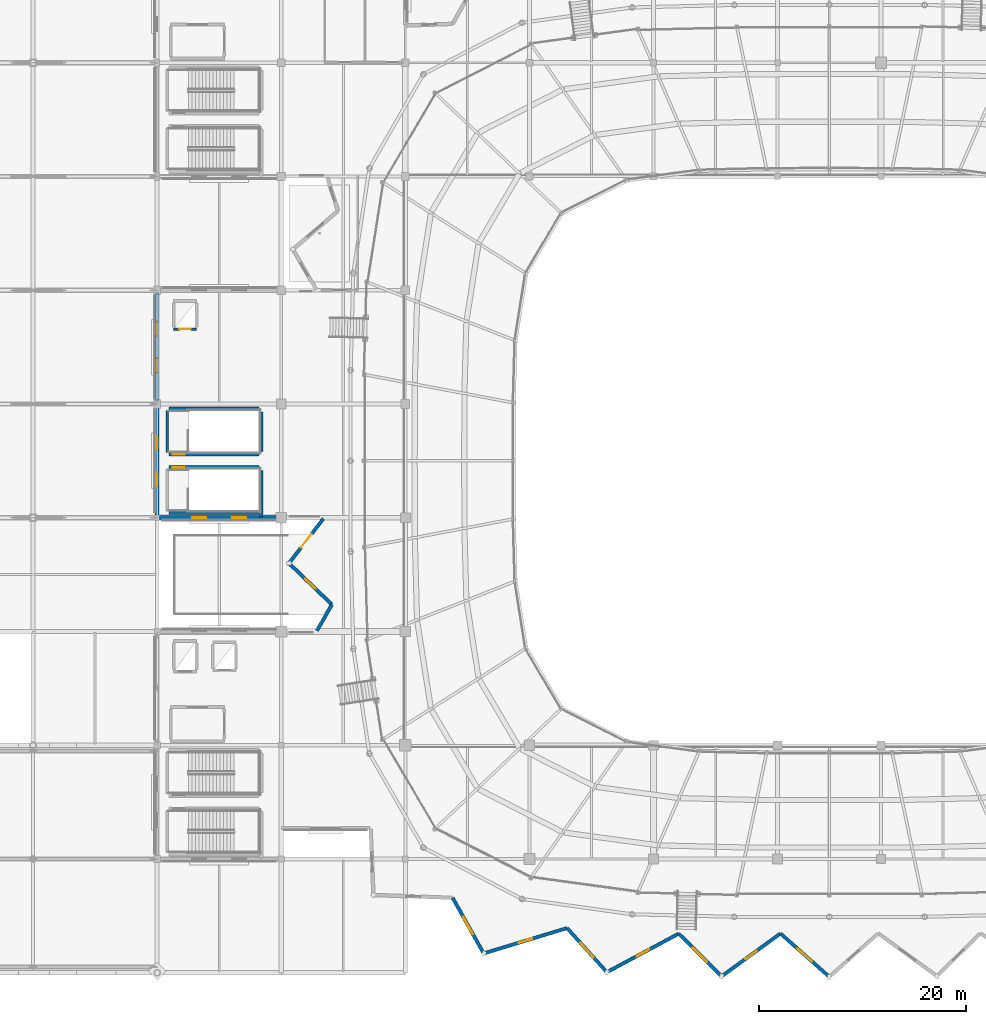
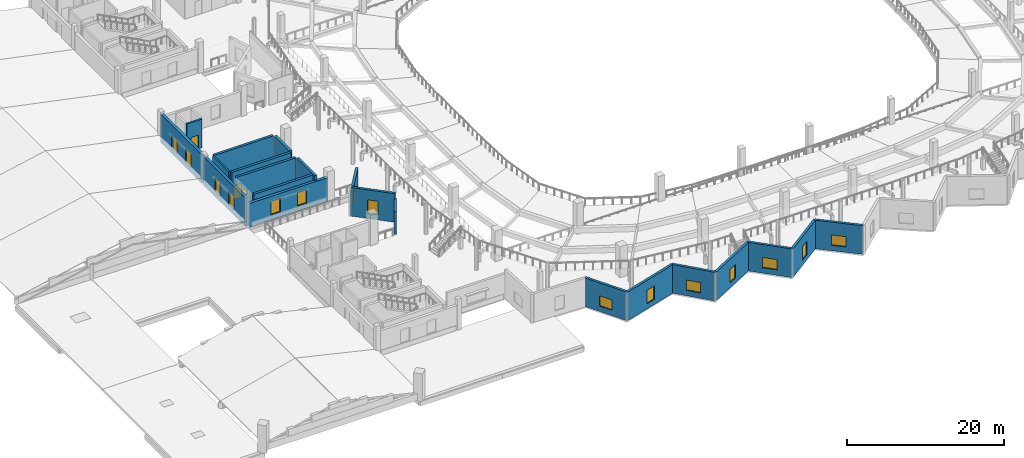
# One storey, part 52 of 77: 21 walls, 14 windows, 4 doors, 18 openings.
"""IFC4 building model written with IfcOpenShell, lengths in metres."""

import ifcopenshell
import ifcopenshell.guid

model = None  # the IFC model being written
_history = None  # IfcOwnerHistory: only IFC2X3 demands one
_inside = {}  # id of a spatial element -> (the spatial element, [elements in it])
_under = {}  # id of a project, library or spatial element -> (it, [spatial elements below it])
_declared = {}  # id of a project -> (the project, [libraries it declares])
_typed = {}  # id of a type object -> (the type object, [elements of that type])
_made_of = {}  # id of a material, layer set ... -> (it, [elements and type objects made of it])


def new_model(schema):
    """Start an empty IFC model of exactly this schema.

    Asked for "IFC4X3", IfcOpenShell would pick the latest addendum, in which some entities
    have other attributes; the version numbers below select the first issue.
    IFC2X3 requires an IfcOwnerHistory on every rooted entity: one is made here for all.
    """
    global model, _history
    if schema == "IFC4X3":
        model = ifcopenshell.file(schema_version=(4, 3, 0, 0))
    else:
        model = ifcopenshell.file(schema=schema)
    _inside.clear()
    _under.clear()
    _declared.clear()
    _typed.clear()
    _made_of.clear()
    _history = None
    if model.schema == "IFC2X3":
        org = make("IfcOrganization", Name="unknown")
        user = make(
            "IfcPersonAndOrganization",
            ThePerson=make("IfcPerson", FamilyName="unknown"),
            TheOrganization=org,
        )
        app = make(
            "IfcApplication",
            ApplicationDeveloper=org,
            Version="unknown",
            ApplicationFullName="unknown",
            ApplicationIdentifier="unknown",
        )
        _history = make(
            "IfcOwnerHistory",
            OwningUser=user,
            OwningApplication=app,
            ChangeAction="ADDED",
            CreationDate=0,
        )
    return model


def make(cls, **values):
    """One entity of the class cls with the attributes given. An attribute that is None is left unset."""
    return model.create_entity(
        cls, **{name: value for name, value in values.items() if value is not None}
    )


def rooted(cls, **values):
    """An entity with a GlobalId (a new one), such as an element, a storey or a relation."""
    return make(cls, GlobalId=ifcopenshell.guid.new(), OwnerHistory=_history, **values)


def si_unit(unit_type, name, prefix=None):
    """IfcSIUnit, for example si_unit("LENGTHUNIT", "METRE", prefix="MILLI")."""
    return make("IfcSIUnit", UnitType=unit_type, Prefix=prefix, Name=name)


def assignment(units):
    """IfcUnitAssignment: the units of a project."""
    return None if units is None else make("IfcUnitAssignment", Units=units)


def point(xyz):
    """IfcCartesianPoint."""
    return None if xyz is None else make("IfcCartesianPoint", Coordinates=xyz)


def direction(xyz):
    """IfcDirection."""
    return None if xyz is None else make("IfcDirection", DirectionRatios=xyz)


def frame(location, z_axis=None, x_axis=None):
    """IfcAxis2Placement3D, a coordinate frame: its origin and axes. An axis left out is left unset."""
    return make(
        "IfcAxis2Placement3D",
        Location=point(location),
        Axis=direction(z_axis),
        RefDirection=direction(x_axis),
    )


def frame_2d(location, x_axis=None):
    """IfcAxis2Placement2D, a coordinate frame in the plane: its origin and x axis."""
    return make(
        "IfcAxis2Placement2D", Location=point(location), RefDirection=direction(x_axis)
    )


def origin():
    """The frame at (0, 0, 0) with its axes left unset."""
    return frame((0.0, 0.0, 0.0))


def place(relative_to, where):
    """IfcLocalPlacement: puts the frame where relative to a parent placement (None: the world)."""
    return make(
        "IfcLocalPlacement", PlacementRelTo=relative_to, RelativePlacement=where
    )


def context(
    kind, dimensions, precision=None, world=None, true_north=None, identifier=None
):
    """IfcGeometricRepresentationContext, for example the 3D "Model" context."""
    return make(
        "IfcGeometricRepresentationContext",
        ContextIdentifier=identifier,
        ContextType=kind,
        CoordinateSpaceDimension=dimensions,
        Precision=precision,
        WorldCoordinateSystem=world,
        TrueNorth=true_north,
    )


def subcontext(parent, identifier, kind, view, scale=None):
    """IfcGeometricRepresentationSubContext, for example "Body" below "Model"."""
    return make(
        "IfcGeometricRepresentationSubContext",
        ContextIdentifier=identifier,
        ContextType=kind,
        ParentContext=parent,
        TargetScale=scale,
        TargetView=view,
    )


def project(units=None, contexts=None):
    """IfcProject with its units and contexts."""
    return rooted(
        "IfcProject",
        Name="project",
        RepresentationContexts=contexts,
        UnitsInContext=assignment(units),
    )


def spatial(cls, under=None, at=None, **own):
    """A site, building, storey or space (cls), placed at a placement, below another one or the project."""
    s = rooted(cls, ObjectPlacement=at, **own)
    if under is not None:
        _under.setdefault(under.id(), (under, []))[1].append(s)
    return s


def profile(cls, at=None, kind="AREA", **sizes):
    """A parametric profile (cls). Its sizes go by their IFC names, for example OverallWidth=200.0."""
    return make(cls, ProfileType=kind, Position=at, **sizes)


def rectangle(**sizes):
    """IfcRectangleProfileDef."""
    return profile("IfcRectangleProfileDef", **sizes)


def extrude(swept, where, along, depth):
    """IfcExtrudedAreaSolid: the profile swept, set in the frame where, extruded along a direction by depth."""
    return make(
        "IfcExtrudedAreaSolid",
        SweptArea=swept,
        Position=where,
        ExtrudedDirection=direction(along),
        Depth=depth,
    )


def shape(context_of_items, identifier, shape_type, items):
    """IfcShapeRepresentation: the items that make up one representation, for example the "Body"."""
    return make(
        "IfcShapeRepresentation",
        ContextOfItems=context_of_items,
        RepresentationIdentifier=identifier,
        RepresentationType=shape_type,
        Items=items,
    )


def material(Name=None, Category=None):
    """IfcMaterial."""
    return make("IfcMaterial", Name=Name, Category=Category)


def layer(
    of_material, thickness, ventilated=None, Name=None, Category=None, Priority=None
):
    """IfcMaterialLayer: one layer of a wall or slab, of a material (None: an air gap)."""
    return make(
        "IfcMaterialLayer",
        Material=of_material,
        LayerThickness=thickness,
        IsVentilated=ventilated,
        Name=Name,
        Category=Category,
        Priority=Priority,
    )


def layer_set(layers, Name=None):
    """IfcMaterialLayerSet."""
    return make("IfcMaterialLayerSet", MaterialLayers=layers, LayerSetName=Name)


def made_of(thing, what):
    """Note that an element or type object is made of a material, layer set ...; save() writes the relation."""
    if what is not None:
        _made_of.setdefault(what.id(), (what, []))[1].append(thing)
    return thing


def type_object(cls, material=None, **own):
    """A type object (cls), such as IfcWallType, which elements share."""
    return made_of(rooted(cls, **own), material)


def element(
    cls,
    number,
    at=None,
    inside=None,
    cuts=None,
    type_object=None,
    material=None,
    context=None,
    identifier="Body",
    shape_type=None,
    held_by="IfcProductDefinitionShape",
    body=None,
    shapes=None,
    **own,
):
    """One element of the class cls, such as IfcWall. Its Tag is "e" and its number.

    at: its placement. inside: the storey or other place that contains it. cuts: it is an
    opening in that element (IfcRelVoidsElement). A single representation is given by context,
    identifier, shape_type and body (its items); several are given by shapes. held_by: the class
    of the entity that holds the representations. save() writes the other relations.
    """
    e = rooted(cls, Tag="e%d" % number, ObjectPlacement=at, **own)
    if body is not None:
        shapes = [shape(context, identifier, shape_type, body)]
    if shapes is not None:
        e.Representation = make(held_by, Representations=shapes)
    if inside is not None:
        _inside.setdefault(inside.id(), (inside, []))[1].append(e)
    if cuts is not None:
        rooted(
            "IfcRelVoidsElement", RelatingBuildingElement=cuts, RelatedOpeningElement=e
        )
    if type_object is not None:
        _typed.setdefault(type_object.id(), (type_object, []))[1].append(e)
    return made_of(e, material)


def fill(opening, filler):
    """IfcRelFillsElement: the door or window that sits in an opening."""
    return rooted(
        "IfcRelFillsElement",
        RelatingOpeningElement=opening,
        RelatedBuildingElement=filler,
    )


def aggregate(whole, parts):
    """IfcRelAggregates: a whole, such as a stair, and the parts it consists of."""
    return rooted("IfcRelAggregates", RelatingObject=whole, RelatedObjects=parts)


def save(model, path):
    """Write the relations noted so far, then the file.

    IfcRelAggregates (storeys below a building ...), IfcRelContainedInSpatialStructure (elements
    in a storey), IfcRelDefinesByType, IfcRelAssociatesMaterial and IfcRelDeclares: one each for
    every whole, place, type object, material and project.
    """
    for whole, parts in _under.values():
        aggregate(whole, parts)
    for where, things in _inside.values():
        rooted(
            "IfcRelContainedInSpatialStructure",
            RelatedElements=things,
            RelatingStructure=where,
        )
    for kind, things in _typed.values():
        rooted("IfcRelDefinesByType", RelatedObjects=things, RelatingType=kind)
    for what, things in _made_of.values():
        rooted("IfcRelAssociatesMaterial", RelatedObjects=things, RelatingMaterial=what)
    for by, libraries in _declared.values():
        rooted("IfcRelDeclares", RelatingContext=by, RelatedDefinitions=libraries)
    model.write(path)


model = new_model("IFC4")

# Units and contexts
model_context = context("Model", 3, precision=1e-05, world=origin(), true_north=direction((0.0, 1.0)))
body_context = subcontext(model_context, "Body", "Model", "MODEL_VIEW")
ifc_project = project(units=[si_unit("LENGTHUNIT", "METRE"), si_unit("AREAUNIT", "SQUARE_METRE"), si_unit("VOLUMEUNIT", "CUBIC_METRE"), si_unit("PLANEANGLEUNIT", "RADIAN"), si_unit("MASSUNIT", "GRAM", prefix="KILO")], contexts=[model_context])

# Site, building, storey
site_placement = place(None, origin())
site = spatial("IfcSite", under=ifc_project, at=site_placement, CompositionType="ELEMENT")
building_placement = place(site_placement, origin())
building = spatial("IfcBuilding", under=site, at=building_placement, Name="Luwafu Chhajja Arena", CompositionType="ELEMENT")
storey_placement = place(building_placement, frame((0.0, 0.0, 14.699951171875)))
storey = spatial("IfcBuildingStorey", under=building, at=storey_placement, Name="L03", CompositionType="ELEMENT", Elevation=14.699951171875)

# Wall, opening, door
ifc_material_1 = material(Name="Concrete C35/45", Category="concrete")
ifc_layer_1 = layer(ifc_material_1, 0.260009765625, Name="Concrete C35/45")
ifc_layer_set_1 = layer_set([ifc_layer_1], Name="Concrete C35/45")
wall_type_1 = type_object("IfcWallType", Name="Lift and Riser Shaft Wall 260", PredefinedType="SOLIDWALL", material=ifc_layer_set_1)
wall_1_placement = place(storey_placement, frame((35.590087890625, 62.239990234375, 0.0), z_axis=(0.0, 0.0, 1.0), x_axis=(1.0, 0.0, 0.0)))
wall_1 = element("IfcWall", 1, at=wall_1_placement, inside=storey, type_object=wall_type_1, Name="L03 Lift LF-09 Shaft Wall S", PredefinedType="SOLIDWALL", context=body_context, shape_type="SweptSolid", body=[
    extrude(rectangle(XDim=2.219970703125, YDim=0.260009765625, at=frame_2d((1.10986328125, 0.0))), origin(), (0.0, 0.0, 1.0), 4.4599609375),
])
opening_1_placement = place(wall_1_placement, frame((0.56005859375, 0.0, 0.0)))
opening_1 = element("IfcOpeningElement", 2, at=opening_1_placement, cuts=wall_1, Name="Opening LD-01", PredefinedType="OPENING", context=body_context, shape_type="SweptSolid", body=[
    extrude(rectangle(XDim=1.10009765625, YDim=2.14990234375, at=frame_2d((0.550048828125, 1.074951171875))), frame((0.0, 0.139892578125, 0.0), z_axis=(0.0, -1.0, 0.0), x_axis=(1.0, 0.0, 0.0)), (0.0, 0.0, 1.0), 0.280029296875),
])
ifc_material_2 = material(Name="Brushed stainless steel sliding leaves", Category="steel")
door_type_1 = type_object("IfcDoorType", Name="LD-01", OperationType="SLIDING_TO_LEFT", PredefinedType="DOOR", material=ifc_material_2)
door_1_placement = place(opening_1_placement, origin())
door_1 = element("IfcDoor", 3, at=door_1_placement, inside=storey, type_object=door_type_1, Name="L03 Lift LF-09 Landing Door L03-LD09", OperationType="SLIDING_TO_LEFT", OverallHeight=2.14990234375, OverallWidth=1.10009765625, PredefinedType="DOOR", context=body_context, shape_type="SweptSolid", body=[
    extrude(rectangle(XDim=1.10009765625, YDim=2.14990234375, at=frame_2d((0.550048828125, 1.074951171875))), frame((0.0, 0.02490234375, 0.0), z_axis=(0.0, -1.0, 0.0), x_axis=(1.0, 0.0, 0.0)), (0.0, 0.0, 1.0), 0.050048828125),
])
fill(opening_1, door_1)

ifc_material_3 = material(Name="Precast concrete C40/50", Category="concrete")
ifc_layer_2 = layer(ifc_material_3, 0.340087890625, Name="Precast concrete C40/50")
ifc_layer_set_2 = layer_set([ifc_layer_2], Name="Precast concrete C40/50")
wall_type_2 = type_object("IfcWallType", Name="Pleated Bowl V-Fold Wall 340", PredefinedType="USERDEFINED", material=ifc_layer_set_2)
wall_2_placement = place(storey_placement, frame((50.06982421875, 43.919921875, 0.0), z_axis=(0.0, 0.0, 1.0), x_axis=(-0.609647920541, -0.792672323839, 0.0)))
wall_2 = element("IfcWall", 4, at=wall_2_placement, inside=storey, type_object=wall_type_2, Name="L03 Pleated Bowl V-Fold Wall 34", ObjectType="PLEATED FACADE WALL", PredefinedType="USERDEFINED", context=body_context, shape_type="SweptSolid", body=[
    extrude(rectangle(XDim=5.445068359375, YDim=0.340087890625, at=frame_2d((2.72265625, 0.0))), origin(), (0.0, 0.0, 1.0), 3.68994140625),
])
opening_2_placement = place(wall_2_placement, frame((1.897705078125, 0.0, 0.0)))
opening_2 = element("IfcOpeningElement", 5, at=opening_2_placement, cuts=wall_2, Name="Opening DR-29", PredefinedType="OPENING", context=body_context, shape_type="SweptSolid", body=[
    extrude(rectangle(XDim=1.64990234375, YDim=2.300048828125, at=frame_2d((0.824951171875, 1.14990234375))), frame((0.0, 0.179931640625, 0.0), z_axis=(0.0, -1.0, 0.0), x_axis=(1.0, 0.0, 0.0)), (0.0, 0.0, 1.0), 0.360107421875),
])
ifc_material_4 = material(Name="Anodised bronze thermally broken double glazed door")
door_type_2 = type_object("IfcDoorType", Name="DR-29", OperationType="DOUBLE_DOOR_SINGLE_SWING", PredefinedType="DOOR", material=ifc_material_4)
door_2_placement = place(opening_2_placement, frame((1.64990234375, 0.0, 0.0), z_axis=(0.0, 0.0, 1.0), x_axis=(-1.0, 0.0, 0.0)))
door_2 = element("IfcDoor", 6, at=door_2_placement, inside=storey, type_object=door_type_2, Name="L03 Viewing Terrace Access Door L03-TD01", OperationType="DOUBLE_DOOR_SINGLE_SWING", OverallHeight=2.300048828125, OverallWidth=1.64990234375, PredefinedType="DOOR", context=body_context, shape_type="SweptSolid", body=[
    extrude(rectangle(XDim=1.64990234375, YDim=2.300048828125, at=frame_2d((0.824951171875, 1.14990234375))), frame((0.0, 0.02490234375, 0.0), z_axis=(0.0, -1.0, 0.0), x_axis=(1.0, 0.0, 0.0)), (0.0, 0.0, 1.0), 0.050048828125),
])
fill(opening_2, door_2)

# Wall, opening, window
wall_3_placement = place(storey_placement, frame((46.750244140625, 39.603759765625, 0.0), z_axis=(0.0, 0.0, 1.0), x_axis=(0.719894969607, -0.694083015737, 0.0)))
wall_3 = element("IfcWall", 7, at=wall_3_placement, inside=storey, type_object=wall_type_2, Name="L03 Pleated Bowl V-Fold Wall 35", ObjectType="PLEATED FACADE WALL", PredefinedType="USERDEFINED", context=body_context, shape_type="SweptSolid", body=[
    extrude(rectangle(XDim=5.76025390625, YDim=0.340087890625, at=frame_2d((2.880126953125, 0.0))), origin(), (0.0, 0.0, 1.0), 4.455078125),
])
opening_3_placement = place(wall_3_placement, frame((2.205078125, 0.0, 0.800048828125)))
opening_3 = element("IfcOpeningElement", 8, at=opening_3_placement, cuts=wall_3, Name="Opening WN-17", PredefinedType="OPENING", context=body_context, shape_type="SweptSolid", body=[
    extrude(rectangle(XDim=1.35009765625, YDim=2.10009765625, at=frame_2d((0.675048828125, 1.050048828125))), frame((0.0, 0.179931640625, 0.0), z_axis=(0.0, -1.0, 0.0), x_axis=(1.0, 0.0, 0.0)), (0.0, 0.0, 1.0), 0.360107421875),
])
ifc_material_5 = material(Name="Solar-control laminated glass", Category="glass")
window_type_1 = type_object("IfcWindowType", Name="Exhibition Mezzanine Lancet Window 1350x2100", PartitioningType="SINGLE_PANEL", PredefinedType="WINDOW", material=ifc_material_5)
window_1_placement = place(opening_3_placement, origin())
window_1 = element("IfcWindow", 9, at=window_1_placement, inside=storey, type_object=window_type_1, Name="L03 Pleated Bowl Lancet Window 057", OverallHeight=2.10009765625, OverallWidth=1.35009765625, PartitioningType="SINGLE_PANEL", PredefinedType="WINDOW", context=body_context, shape_type="SweptSolid", body=[
    extrude(rectangle(XDim=1.35009765625, YDim=2.10009765625, at=frame_2d((0.675048828125, 1.050048828125))), frame((0.0, 0.030029296875, 0.0), z_axis=(0.0, -1.0, 0.0), x_axis=(1.0, 0.0, 0.0)), (0.0, 0.0, 1.0), 0.06005859375),
])
fill(opening_3, window_1)

# Wall
wall_4_placement = place(storey_placement, frame((50.89697265625, 35.605712890625, 0.0), z_axis=(0.0, 0.0, 1.0), x_axis=(-0.497249451908, -0.86760762017, 0.0)))
element("IfcWall", 10, at=wall_4_placement, inside=storey, type_object=wall_type_2, Name="L03 Pleated Bowl V-Fold Wall 36", ObjectType="PLEATED FACADE WALL", PredefinedType="USERDEFINED", context=body_context, shape_type="SweptSolid", body=[
    extrude(rectangle(XDim=2.9111328125, YDim=0.340087890625, at=frame_2d((1.45556640625, 0.0))), origin(), (0.0, 0.0, 1.0), 3.590087890625),
])

# Wall, opening, window
wall_5_placement = place(storey_placement, frame((62.57421875, 7.23681640625, 0.0), z_axis=(0.0, 0.0, 1.0), x_axis=(0.487306352228, -0.87323108, 0.0)))
wall_5 = element("IfcWall", 11, at=wall_5_placement, inside=storey, type_object=wall_type_2, Name="L03 Pleated Bowl V-Fold Wall 42", ObjectType="PLEATED FACADE WALL", PredefinedType="USERDEFINED", context=body_context, shape_type="SweptSolid", body=[
    extrude(rectangle(XDim=6.15283203125, YDim=0.340087890625, at=frame_2d((3.076416015625, 0.0))), origin(), (0.0, 0.0, 1.0), 4.455078125),
])
opening_4_placement = place(wall_5_placement, frame((2.12646484375, 0.0, 0.85009765625)))
opening_4 = element("IfcOpeningElement", 12, at=opening_4_placement, cuts=wall_5, Name="Opening WN-15", PredefinedType="OPENING", context=body_context, shape_type="SweptSolid", body=[
    extrude(rectangle(XDim=1.89990234375, YDim=1.60009765625, at=frame_2d((0.949951171875, 0.800048828125))), frame((0.0, 0.179931640625, 0.0), z_axis=(0.0, -1.0, 0.0), x_axis=(1.0, 0.0, 0.0)), (0.0, 0.0, 1.0), 0.360107421875),
])
window_type_2 = type_object("IfcWindowType", Name="Pleated Drum Inward-Fold Clerestory 1900x1600", PartitioningType="SINGLE_PANEL", PredefinedType="WINDOW", material=ifc_material_5)
window_2_placement = place(opening_4_placement, origin())
window_2 = element("IfcWindow", 13, at=window_2_placement, inside=storey, type_object=window_type_2, Name="L03 Pleated Bowl Lancet Window 060", OverallHeight=1.60009765625, OverallWidth=1.89990234375, PartitioningType="SINGLE_PANEL", PredefinedType="WINDOW", context=body_context, shape_type="SweptSolid", body=[
    extrude(rectangle(XDim=1.89990234375, YDim=1.60009765625, at=frame_2d((0.949951171875, 0.800048828125))), frame((0.0, 0.030029296875, 0.0), z_axis=(0.0, -1.0, 0.0), x_axis=(1.0, 0.0, 0.0)), (0.0, 0.0, 1.0), 0.06005859375),
])
fill(opening_4, window_2)

wall_6_placement = place(storey_placement, frame((65.572509765625, 1.864013671875, 0.0), z_axis=(0.0, 0.0, 1.0), x_axis=(0.956738407321, 0.290949514446, 0.0)))
wall_6 = element("IfcWall", 14, at=wall_6_placement, inside=storey, type_object=wall_type_2, Name="L03 Pleated Bowl V-Fold Wall 43", ObjectType="PLEATED FACADE WALL", PredefinedType="USERDEFINED", context=body_context, shape_type="SweptSolid", body=[
    extrude(rectangle(XDim=8.427978515625, YDim=0.340087890625, at=frame_2d((4.2138671875, 0.0))), origin(), (0.0, 0.0, 1.0), 4.455078125),
])
opening_5_placement = place(wall_6_placement, frame((3.5390625, 0.0, 0.800048828125)))
opening_5 = element("IfcOpeningElement", 15, at=opening_5_placement, cuts=wall_6, Name="Opening WN-17", PredefinedType="OPENING", context=body_context, shape_type="SweptSolid", body=[
    extrude(rectangle(XDim=1.35009765625, YDim=2.10009765625, at=frame_2d((0.675048828125, 1.050048828125))), frame((0.0, 0.179931640625, 0.0), z_axis=(0.0, -1.0, 0.0), x_axis=(1.0, 0.0, 0.0)), (0.0, 0.0, 1.0), 0.360107421875),
])
window_3_placement = place(opening_5_placement, origin())
window_3 = element("IfcWindow", 16, at=window_3_placement, inside=storey, type_object=window_type_1, Name="L03 Pleated Bowl Lancet Window 061", OverallHeight=2.10009765625, OverallWidth=1.35009765625, PartitioningType="SINGLE_PANEL", PredefinedType="WINDOW", context=body_context, shape_type="SweptSolid", body=[
    extrude(rectangle(XDim=1.35009765625, YDim=2.10009765625, at=frame_2d((0.675048828125, 1.050048828125))), frame((0.0, 0.030029296875, 0.0), z_axis=(0.0, -1.0, 0.0), x_axis=(1.0, 0.0, 0.0)), (0.0, 0.0, 1.0), 0.06005859375),
])
fill(opening_5, window_3)

wall_7_placement = place(storey_placement, frame((73.635986328125, 4.316162109375, 0.0), z_axis=(0.0, 0.0, 1.0), x_axis=(0.670348131104, -0.742046752654, 0.0)))
wall_7 = element("IfcWall", 17, at=wall_7_placement, inside=storey, type_object=wall_type_2, Name="L03 Pleated Bowl V-Fold Wall 44", ObjectType="PLEATED FACADE WALL", PredefinedType="USERDEFINED", context=body_context, shape_type="SweptSolid", body=[
    extrude(rectangle(XDim=5.747802734375, YDim=0.340087890625, at=frame_2d((2.8740234375, 0.0))), origin(), (0.0, 0.0, 1.0), 4.455078125),
])
opening_6_placement = place(wall_7_placement, frame((1.923828125, 0.0, 0.85009765625)))
opening_6 = element("IfcOpeningElement", 18, at=opening_6_placement, cuts=wall_7, Name="Opening WN-15", PredefinedType="OPENING", context=body_context, shape_type="SweptSolid", body=[
    extrude(rectangle(XDim=1.89990234375, YDim=1.60009765625, at=frame_2d((0.949951171875, 0.800048828125))), frame((0.0, 0.179931640625, 0.0), z_axis=(0.0, -1.0, 0.0), x_axis=(1.0, 0.0, 0.0)), (0.0, 0.0, 1.0), 0.360107421875),
])
window_4_placement = place(opening_6_placement, origin())
window_4 = element("IfcWindow", 19, at=window_4_placement, inside=storey, type_object=window_type_2, Name="L03 Pleated Bowl Lancet Window 062", OverallHeight=1.60009765625, OverallWidth=1.89990234375, PartitioningType="SINGLE_PANEL", PredefinedType="WINDOW", context=body_context, shape_type="SweptSolid", body=[
    extrude(rectangle(XDim=1.89990234375, YDim=1.60009765625, at=frame_2d((0.949951171875, 0.800048828125))), frame((0.0, 0.030029296875, 0.0), z_axis=(0.0, -1.0, 0.0), x_axis=(1.0, 0.0, 0.0)), (0.0, 0.0, 1.0), 0.06005859375),
])
fill(opening_6, window_4)

wall_8_placement = place(storey_placement, frame((77.489013671875, 0.051025390625, 0.0), z_axis=(0.0, 0.0, 1.0), x_axis=(0.881201188687, 0.472741435731, 0.0)))
wall_8 = element("IfcWall", 20, at=wall_8_placement, inside=storey, type_object=wall_type_2, Name="L03 Pleated Bowl V-Fold Wall 45", ObjectType="PLEATED FACADE WALL", PredefinedType="USERDEFINED", context=body_context, shape_type="SweptSolid", body=[
    extrude(rectangle(XDim=7.880859375, YDim=0.340087890625, at=frame_2d((3.9404296875, 0.0))), origin(), (0.0, 0.0, 1.0), 4.455078125),
])
opening_7_placement = place(wall_8_placement, frame((3.265380859375, 0.0, 0.800048828125)))
opening_7 = element("IfcOpeningElement", 21, at=opening_7_placement, cuts=wall_8, Name="Opening WN-17", PredefinedType="OPENING", context=body_context, shape_type="SweptSolid", body=[
    extrude(rectangle(XDim=1.35009765625, YDim=2.10009765625, at=frame_2d((0.675048828125, 1.050048828125))), frame((0.0, 0.179931640625, 0.0), z_axis=(0.0, -1.0, 0.0), x_axis=(1.0, 0.0, 0.0)), (0.0, 0.0, 1.0), 0.360107421875),
])
window_5_placement = place(opening_7_placement, origin())
window_5 = element("IfcWindow", 22, at=window_5_placement, inside=storey, type_object=window_type_1, Name="L03 Pleated Bowl Lancet Window 063", OverallHeight=2.10009765625, OverallWidth=1.35009765625, PartitioningType="SINGLE_PANEL", PredefinedType="WINDOW", context=body_context, shape_type="SweptSolid", body=[
    extrude(rectangle(XDim=1.35009765625, YDim=2.10009765625, at=frame_2d((0.675048828125, 1.050048828125))), frame((0.0, 0.030029296875, 0.0), z_axis=(0.0, -1.0, 0.0), x_axis=(1.0, 0.0, 0.0)), (0.0, 0.0, 1.0), 0.06005859375),
])
fill(opening_7, window_5)

wall_9_placement = place(storey_placement, frame((84.43359375, 3.776611328125, 0.0), z_axis=(0.0, 0.0, 1.0), x_axis=(0.710084208502, -0.704116763638, 0.0)))
wall_9 = element("IfcWall", 23, at=wall_9_placement, inside=storey, type_object=wall_type_2, Name="L03 Pleated Bowl V-Fold Wall 46", ObjectType="PLEATED FACADE WALL", PredefinedType="USERDEFINED", context=body_context, shape_type="SweptSolid", body=[
    extrude(rectangle(XDim=5.850341796875, YDim=0.340087890625, at=frame_2d((2.92529296875, 0.0))), origin(), (0.0, 0.0, 1.0), 4.455078125),
])
opening_8_placement = place(wall_9_placement, frame((1.97509765625, 0.0, 0.85009765625)))
opening_8 = element("IfcOpeningElement", 24, at=opening_8_placement, cuts=wall_9, Name="Opening WN-15", PredefinedType="OPENING", context=body_context, shape_type="SweptSolid", body=[
    extrude(rectangle(XDim=1.89990234375, YDim=1.60009765625, at=frame_2d((0.949951171875, 0.800048828125))), frame((0.0, 0.179931640625, 0.0), z_axis=(0.0, -1.0, 0.0), x_axis=(1.0, 0.0, 0.0)), (0.0, 0.0, 1.0), 0.360107421875),
])
window_6_placement = place(opening_8_placement, origin())
window_6 = element("IfcWindow", 25, at=window_6_placement, inside=storey, type_object=window_type_2, Name="L03 Pleated Bowl Lancet Window 064", OverallHeight=1.60009765625, OverallWidth=1.89990234375, PartitioningType="SINGLE_PANEL", PredefinedType="WINDOW", context=body_context, shape_type="SweptSolid", body=[
    extrude(rectangle(XDim=1.89990234375, YDim=1.60009765625, at=frame_2d((0.949951171875, 0.800048828125))), frame((0.0, 0.030029296875, 0.0), z_axis=(0.0, -1.0, 0.0), x_axis=(1.0, 0.0, 0.0)), (0.0, 0.0, 1.0), 0.06005859375),
])
fill(opening_8, window_6)

wall_10_placement = place(storey_placement, frame((88.587890625, -0.3427734375, 0.0), z_axis=(0.0, 0.0, 1.0), x_axis=(0.808841233488, 0.588027090371, 0.0)))
wall_10 = element("IfcWall", 26, at=wall_10_placement, inside=storey, type_object=wall_type_2, Name="L03 Pleated Bowl V-Fold Wall 47", ObjectType="PLEATED FACADE WALL", PredefinedType="USERDEFINED", context=body_context, shape_type="SweptSolid", body=[
    extrude(rectangle(XDim=7.02734375, YDim=0.340087890625, at=frame_2d((3.513671875, 0.0))), origin(), (0.0, 0.0, 1.0), 4.455078125),
])
opening_9_placement = place(wall_10_placement, frame((2.838623046875, 0.0, 0.800048828125)))
opening_9 = element("IfcOpeningElement", 27, at=opening_9_placement, cuts=wall_10, Name="Opening WN-17", PredefinedType="OPENING", context=body_context, shape_type="SweptSolid", body=[
    extrude(rectangle(XDim=1.35009765625, YDim=2.10009765625, at=frame_2d((0.675048828125, 1.050048828125))), frame((0.0, 0.179931640625, 0.0), z_axis=(0.0, -1.0, 0.0), x_axis=(1.0, 0.0, 0.0)), (0.0, 0.0, 1.0), 0.360107421875),
])
window_7_placement = place(opening_9_placement, origin())
window_7 = element("IfcWindow", 28, at=window_7_placement, inside=storey, type_object=window_type_1, Name="L03 Pleated Bowl Lancet Window 065", OverallHeight=2.10009765625, OverallWidth=1.35009765625, PartitioningType="SINGLE_PANEL", PredefinedType="WINDOW", context=body_context, shape_type="SweptSolid", body=[
    extrude(rectangle(XDim=1.35009765625, YDim=2.10009765625, at=frame_2d((0.675048828125, 1.050048828125))), frame((0.0, 0.030029296875, 0.0), z_axis=(0.0, -1.0, 0.0), x_axis=(1.0, 0.0, 0.0)), (0.0, 0.0, 1.0), 0.06005859375),
])
fill(opening_9, window_7)

wall_11_placement = place(storey_placement, frame((94.27197265625, 3.78955078125, 0.0), z_axis=(0.0, 0.0, 1.0), x_axis=(0.74844895461, -0.663192402205, 0.0)))
wall_11 = element("IfcWall", 29, at=wall_11_placement, inside=storey, type_object=wall_type_2, Name="L03 Pleated Bowl V-Fold Wall 48", ObjectType="PLEATED FACADE WALL", PredefinedType="USERDEFINED", context=body_context, shape_type="SweptSolid", body=[
    extrude(rectangle(XDim=6.317138671875, YDim=0.340087890625, at=frame_2d((3.15869140625, 0.0))), origin(), (0.0, 0.0, 1.0), 4.455078125),
])
opening_10_placement = place(wall_11_placement, frame((2.20849609375, 0.0, 0.85009765625)))
opening_10 = element("IfcOpeningElement", 30, at=opening_10_placement, cuts=wall_11, Name="Opening WN-15", PredefinedType="OPENING", context=body_context, shape_type="SweptSolid", body=[
    extrude(rectangle(XDim=1.89990234375, YDim=1.60009765625, at=frame_2d((0.949951171875, 0.800048828125))), frame((0.0, 0.179931640625, 0.0), z_axis=(0.0, -1.0, 0.0), x_axis=(1.0, 0.0, 0.0)), (0.0, 0.0, 1.0), 0.360107421875),
])
window_8_placement = place(opening_10_placement, origin())
window_8 = element("IfcWindow", 31, at=window_8_placement, inside=storey, type_object=window_type_2, Name="L03 Pleated Bowl Lancet Window 066", OverallHeight=1.60009765625, OverallWidth=1.89990234375, PartitioningType="SINGLE_PANEL", PredefinedType="WINDOW", context=body_context, shape_type="SweptSolid", body=[
    extrude(rectangle(XDim=1.89990234375, YDim=1.60009765625, at=frame_2d((0.949951171875, 0.800048828125))), frame((0.0, 0.030029296875, 0.0), z_axis=(0.0, -1.0, 0.0), x_axis=(1.0, 0.0, 0.0)), (0.0, 0.0, 1.0), 0.06005859375),
])
fill(opening_10, window_8)

# Walls
ifc_material_6 = material(Name="Concrete C40/50", Category="concrete")
ifc_layer_3 = layer(ifc_material_6, 0.35009765625, Name="Concrete C40/50")
ifc_layer_set_3 = layer_set([ifc_layer_3], Name="Concrete C40/50")
wall_type_3 = type_object("IfcWallType", Name="RC Core Shear Wall 350", PredefinedType="SOLIDWALL", material=ifc_layer_set_3)
wall_12_placement = place(storey_placement, frame((44.072021484375, 44.050048828125, 0.0), z_axis=(0.0, 0.0, 1.0), x_axis=(0.0, 1.0, 0.0)))
element("IfcWall", 32, at=wall_12_placement, inside=storey, type_object=wall_type_3, Name="L03 Stair ST-09 Core Shear Wall E", PredefinedType="SOLIDWALL", context=body_context, shape_type="SweptSolid", body=[
    extrude(rectangle(XDim=4.5400390625, YDim=0.35009765625, at=frame_2d((2.27001953125, 0.0))), origin(), (0.0, 0.0, 1.0), 4.4599609375),
])
wall_13_placement = place(storey_placement, frame((35.14990234375, 44.47802734375, 0.0), z_axis=(0.0, 0.0, 1.0), x_axis=(1.0, 0.0, 0.0)))
element("IfcWall", 33, at=wall_13_placement, inside=storey, type_object=wall_type_3, Name="L03 Stair ST-09 Core Shear Wall S", PredefinedType="SOLIDWALL", context=body_context, shape_type="SweptSolid", body=[
    extrude(rectangle(XDim=8.7001953125, YDim=0.35009765625, at=frame_2d((4.35009765625, 0.0))), origin(), (0.0, 0.0, 1.0), 4.4599609375),
])

# Wall, opening, door
wall_14_placement = place(storey_placement, frame((35.14990234375, 48.862060546875, 0.0), z_axis=(0.0, 0.0, 1.0), x_axis=(1.0, 0.0, 0.0)))
wall_14 = element("IfcWall", 34, at=wall_14_placement, inside=storey, type_object=wall_type_3, Name="L03 Stair ST-09 Core Shear Wall N", PredefinedType="SOLIDWALL", context=body_context, shape_type="SweptSolid", body=[
    extrude(rectangle(XDim=8.7001953125, YDim=0.35009765625, at=frame_2d((4.35009765625, 0.0))), origin(), (0.0, 0.0, 1.0), 4.4599609375),
])
opening_11_placement = place(wall_14_placement, frame((0.35009765625, 0.0, 0.0)))
opening_11 = element("IfcOpeningElement", 35, at=opening_11_placement, cuts=wall_14, Name="Opening DR-06", PredefinedType="OPENING", context=body_context, shape_type="SweptSolid", body=[
    extrude(rectangle(XDim=1.14990234375, YDim=2.199951171875, at=frame_2d((0.574951171875, 1.10009765625))), frame((0.0, 0.18505859375, 0.0), z_axis=(0.0, -1.0, 0.0), x_axis=(1.0, 0.0, 0.0)), (0.0, 0.0, 1.0), 0.3701171875),
])
ifc_material_7 = material(Name="Fire-rated hardwood and steel core", Category="steel")
door_type_3 = type_object("IfcDoorType", Name="DR-06", OperationType="NOTDEFINED", PredefinedType="DOOR", material=ifc_material_7)
door_3_placement = place(opening_11_placement, origin())
door_3 = element("IfcDoor", 36, at=door_3_placement, inside=storey, type_object=door_type_3, Name="L03 Escape Stair ST-09 Fire Door L03-D017", OperationType="SINGLE_SWING_RIGHT", OverallHeight=2.199951171875, OverallWidth=1.14990234375, PredefinedType="DOOR", context=body_context, shape_type="SweptSolid", body=[
    extrude(rectangle(XDim=1.14990234375, YDim=2.199951171875, at=frame_2d((0.574951171875, 1.10009765625))), frame((0.0, 0.02490234375, 0.0), z_axis=(0.0, -1.0, 0.0), x_axis=(1.0, 0.0, 0.0)), (0.0, 0.0, 1.0), 0.050048828125),
])
fill(opening_11, door_3)

# Wall
wall_15_placement = place(storey_placement, frame((44.072021484375, 50.409912109375, 0.0), z_axis=(0.0, 0.0, 1.0), x_axis=(0.0, 1.0, 0.0)))
element("IfcWall", 37, at=wall_15_placement, inside=storey, type_object=wall_type_3, Name="L03 Stair ST-10 Core Shear Wall E", PredefinedType="SOLIDWALL", context=body_context, shape_type="SweptSolid", body=[
    extrude(rectangle(XDim=3.840087890625, YDim=0.35009765625, at=frame_2d((1.919921875, 0.0))), origin(), (0.0, 0.0, 1.0), 4.4599609375),
])

# Wall, opening, door
wall_16_placement = place(storey_placement, frame((35.14990234375, 50.137939453125, 0.0), z_axis=(0.0, 0.0, 1.0), x_axis=(1.0, 0.0, 0.0)))
wall_16 = element("IfcWall", 38, at=wall_16_placement, inside=storey, type_object=wall_type_3, Name="L03 Stair ST-10 Core Shear Wall S", PredefinedType="SOLIDWALL", context=body_context, shape_type="SweptSolid", body=[
    extrude(rectangle(XDim=8.7001953125, YDim=0.35009765625, at=frame_2d((4.35009765625, 0.0))), origin(), (0.0, 0.0, 1.0), 4.4599609375),
])
opening_12_placement = place(wall_16_placement, frame((0.35009765625, 0.0, 0.0)))
opening_12 = element("IfcOpeningElement", 39, at=opening_12_placement, cuts=wall_16, Name="Opening DR-06", PredefinedType="OPENING", context=body_context, shape_type="SweptSolid", body=[
    extrude(rectangle(XDim=1.14990234375, YDim=2.199951171875, at=frame_2d((0.574951171875, 1.10009765625))), frame((0.0, 0.18505859375, 0.0), z_axis=(0.0, -1.0, 0.0), x_axis=(1.0, 0.0, 0.0)), (0.0, 0.0, 1.0), 0.3701171875),
])
door_4_placement = place(opening_12_placement, origin())
door_4 = element("IfcDoor", 40, at=door_4_placement, inside=storey, type_object=door_type_3, Name="L03 Escape Stair ST-10 Fire Door L03-D018", OperationType="SINGLE_SWING_LEFT", OverallHeight=2.199951171875, OverallWidth=1.14990234375, PredefinedType="DOOR", context=body_context, shape_type="SweptSolid", body=[
    extrude(rectangle(XDim=1.14990234375, YDim=2.199951171875, at=frame_2d((0.574951171875, 1.10009765625))), frame((0.0, 0.02490234375, 0.0), z_axis=(0.0, -1.0, 0.0), x_axis=(1.0, 0.0, 0.0)), (0.0, 0.0, 1.0), 0.050048828125),
])
fill(opening_12, door_4)

# Wall
wall_17_placement = place(storey_placement, frame((35.14990234375, 54.52197265625, 0.0), z_axis=(0.0, 0.0, 1.0), x_axis=(1.0, 0.0, 0.0)))
element("IfcWall", 41, at=wall_17_placement, inside=storey, type_object=wall_type_3, Name="L03 Stair ST-10 Core Shear Wall N", PredefinedType="SOLIDWALL", context=body_context, shape_type="SweptSolid", body=[
    extrude(rectangle(XDim=8.7001953125, YDim=0.35009765625, at=frame_2d((4.35009765625, 0.0))), origin(), (0.0, 0.0, 1.0), 4.4599609375),
])

# Wall, openings, windows
ifc_layer_4 = layer(ifc_material_6, 0.39990234375, Name="Concrete C40/50")
ifc_layer_set_4 = layer_set([ifc_layer_4], Name="Concrete C40/50")
wall_type_4 = type_object("IfcWallType", Name="RC Core Shear Wall 400", PredefinedType="SOLIDWALL", material=ifc_layer_set_4)
wall_18_placement = place(storey_placement, frame((34.2099609375, 44.0, 0.0), z_axis=(0.0, 0.0, 1.0), x_axis=(1.0, 0.0, 0.0)))
wall_18 = element("IfcWall", 42, at=wall_18_placement, inside=storey, type_object=wall_type_4, Name="L03 Exterior Wall WEX-L03-184", PredefinedType="SOLIDWALL", context=body_context, shape_type="SweptSolid", body=[
    extrude(rectangle(XDim=11.570068359375, YDim=0.39990234375, at=frame_2d((5.78515625, 0.0))), origin(), (0.0, 0.0, 1.0), 3.68994140625),
])
opening_13_placement = place(wall_18_placement, frame((3.181640625, 0.0, 0.800048828125)))
opening_13 = element("IfcOpeningElement", 43, at=opening_13_placement, cuts=wall_18, Name="Opening WN-17", PredefinedType="OPENING", context=body_context, shape_type="SweptSolid", body=[
    extrude(rectangle(XDim=1.35009765625, YDim=2.10009765625, at=frame_2d((0.675048828125, 1.050048828125))), frame((0.0, 0.2099609375, 0.0), z_axis=(0.0, -1.0, 0.0), x_axis=(1.0, 0.0, 0.0)), (0.0, 0.0, 1.0), 0.419921875),
])
opening_14_placement = place(wall_18_placement, frame((7.038330078125, 0.0, 0.800048828125)))
opening_14 = element("IfcOpeningElement", 44, at=opening_14_placement, cuts=wall_18, Name="Opening WN-17", PredefinedType="OPENING", context=body_context, shape_type="SweptSolid", body=[
    extrude(rectangle(XDim=1.35009765625, YDim=2.10009765625, at=frame_2d((0.675048828125, 1.050048828125))), frame((0.0, 0.2099609375, 0.0), z_axis=(0.0, -1.0, 0.0), x_axis=(1.0, 0.0, 0.0)), (0.0, 0.0, 1.0), 0.419921875),
])
window_9_placement = place(opening_13_placement, origin())
window_9 = element("IfcWindow", 45, at=window_9_placement, inside=storey, type_object=window_type_1, Name="L03 Facade Window 124", OverallHeight=2.10009765625, OverallWidth=1.35009765625, PartitioningType="SINGLE_PANEL", PredefinedType="WINDOW", context=body_context, shape_type="SweptSolid", body=[
    extrude(rectangle(XDim=1.35009765625, YDim=2.10009765625, at=frame_2d((0.675048828125, 1.050048828125))), frame((0.0, 0.030029296875, 0.0), z_axis=(0.0, -1.0, 0.0), x_axis=(1.0, 0.0, 0.0)), (0.0, 0.0, 1.0), 0.06005859375),
])
fill(opening_13, window_9)
window_10_placement = place(opening_14_placement, origin())
window_10 = element("IfcWindow", 46, at=window_10_placement, inside=storey, type_object=window_type_1, Name="L03 Facade Window 125", OverallHeight=2.10009765625, OverallWidth=1.35009765625, PartitioningType="SINGLE_PANEL", PredefinedType="WINDOW", context=body_context, shape_type="SweptSolid", body=[
    extrude(rectangle(XDim=1.35009765625, YDim=2.10009765625, at=frame_2d((0.675048828125, 1.050048828125))), frame((0.0, 0.030029296875, 0.0), z_axis=(0.0, -1.0, 0.0), x_axis=(1.0, 0.0, 0.0)), (0.0, 0.0, 1.0), 0.06005859375),
])
fill(opening_14, window_10)

wall_19_placement = place(storey_placement, frame((34.0, 44.2099609375, 0.0), z_axis=(0.0, 0.0, 1.0), x_axis=(0.0, 1.0, 0.0)))
wall_19 = element("IfcWall", 47, at=wall_19_placement, inside=storey, type_object=wall_type_4, Name="L03 Exterior Wall WEX-L03-185", PredefinedType="SOLIDWALL", context=body_context, shape_type="SweptSolid", body=[
    extrude(rectangle(XDim=10.570068359375, YDim=0.39990234375, at=frame_2d((5.28515625, 0.0))), origin(), (0.0, 0.0, 1.0), 4.465087890625),
])
opening_15_placement = place(wall_19_placement, frame((2.848388671875, 0.0, 0.800048828125)))
opening_15 = element("IfcOpeningElement", 48, at=opening_15_placement, cuts=wall_19, Name="Opening WN-17", PredefinedType="OPENING", context=body_context, shape_type="SweptSolid", body=[
    extrude(rectangle(XDim=1.35009765625, YDim=2.10009765625, at=frame_2d((0.675048828125, 1.050048828125))), frame((0.0, 0.2099609375, 0.0), z_axis=(0.0, -1.0, 0.0), x_axis=(1.0, 0.0, 0.0)), (0.0, 0.0, 1.0), 0.419921875),
])
opening_16_placement = place(wall_19_placement, frame((6.37158203125, 0.0, 0.800048828125)))
opening_16 = element("IfcOpeningElement", 49, at=opening_16_placement, cuts=wall_19, Name="Opening WN-17", PredefinedType="OPENING", context=body_context, shape_type="SweptSolid", body=[
    extrude(rectangle(XDim=1.35009765625, YDim=2.10009765625, at=frame_2d((0.675048828125, 1.050048828125))), frame((0.0, 0.2099609375, 0.0), z_axis=(0.0, -1.0, 0.0), x_axis=(1.0, 0.0, 0.0)), (0.0, 0.0, 1.0), 0.419921875),
])
window_11_placement = place(opening_15_placement, origin())
window_11 = element("IfcWindow", 50, at=window_11_placement, inside=storey, type_object=window_type_1, Name="L03 Facade Window 126", OverallHeight=2.10009765625, OverallWidth=1.35009765625, PartitioningType="SINGLE_PANEL", PredefinedType="WINDOW", context=body_context, shape_type="SweptSolid", body=[
    extrude(rectangle(XDim=1.35009765625, YDim=2.10009765625, at=frame_2d((0.675048828125, 1.050048828125))), frame((0.0, 0.030029296875, 0.0), z_axis=(0.0, -1.0, 0.0), x_axis=(1.0, 0.0, 0.0)), (0.0, 0.0, 1.0), 0.06005859375),
])
fill(opening_15, window_11)
window_12_placement = place(opening_16_placement, origin())
window_12 = element("IfcWindow", 51, at=window_12_placement, inside=storey, type_object=window_type_1, Name="L03 Facade Window 127", OverallHeight=2.10009765625, OverallWidth=1.35009765625, PartitioningType="SINGLE_PANEL", PredefinedType="WINDOW", context=body_context, shape_type="SweptSolid", body=[
    extrude(rectangle(XDim=1.35009765625, YDim=2.10009765625, at=frame_2d((0.675048828125, 1.050048828125))), frame((0.0, 0.030029296875, 0.0), z_axis=(0.0, -1.0, 0.0), x_axis=(1.0, 0.0, 0.0)), (0.0, 0.0, 1.0), 0.06005859375),
])
fill(opening_16, window_12)

wall_20_placement = place(storey_placement, frame((34.0, 55.219970703125, 0.0), z_axis=(0.0, 0.0, 1.0), x_axis=(0.0, 1.0, 0.0)))
wall_20 = element("IfcWall", 52, at=wall_20_placement, inside=storey, type_object=wall_type_4, Name="L03 Exterior Wall WEX-L03-187", PredefinedType="SOLIDWALL", context=body_context, shape_type="SweptSolid", body=[
    extrude(rectangle(XDim=10.56005859375, YDim=0.39990234375, at=frame_2d((5.280029296875, 0.0))), origin(), (0.0, 0.0, 1.0), 4.465087890625),
])
opening_17_placement = place(wall_20_placement, frame((2.844970703125, 0.0, 0.800048828125)))
opening_17 = element("IfcOpeningElement", 53, at=opening_17_placement, cuts=wall_20, Name="Opening WN-17", PredefinedType="OPENING", context=body_context, shape_type="SweptSolid", body=[
    extrude(rectangle(XDim=1.35009765625, YDim=2.10009765625, at=frame_2d((0.675048828125, 1.050048828125))), frame((0.0, 0.2099609375, 0.0), z_axis=(0.0, -1.0, 0.0), x_axis=(1.0, 0.0, 0.0)), (0.0, 0.0, 1.0), 0.419921875),
])
opening_18_placement = place(wall_20_placement, frame((6.364990234375, 0.0, 0.800048828125)))
opening_18 = element("IfcOpeningElement", 54, at=opening_18_placement, cuts=wall_20, Name="Opening WN-17", PredefinedType="OPENING", context=body_context, shape_type="SweptSolid", body=[
    extrude(rectangle(XDim=1.35009765625, YDim=2.10009765625, at=frame_2d((0.675048828125, 1.050048828125))), frame((0.0, 0.2099609375, 0.0), z_axis=(0.0, -1.0, 0.0), x_axis=(1.0, 0.0, 0.0)), (0.0, 0.0, 1.0), 0.419921875),
])
window_13_placement = place(opening_17_placement, origin())
window_13 = element("IfcWindow", 55, at=window_13_placement, inside=storey, type_object=window_type_1, Name="L03 Facade Window 130", OverallHeight=2.10009765625, OverallWidth=1.35009765625, PartitioningType="SINGLE_PANEL", PredefinedType="WINDOW", context=body_context, shape_type="SweptSolid", body=[
    extrude(rectangle(XDim=1.35009765625, YDim=2.10009765625, at=frame_2d((0.675048828125, 1.050048828125))), frame((0.0, 0.030029296875, 0.0), z_axis=(0.0, -1.0, 0.0), x_axis=(1.0, 0.0, 0.0)), (0.0, 0.0, 1.0), 0.06005859375),
])
fill(opening_17, window_13)
window_14_placement = place(opening_18_placement, origin())
window_14 = element("IfcWindow", 56, at=window_14_placement, inside=storey, type_object=window_type_1, Name="L03 Facade Window 131", OverallHeight=2.10009765625, OverallWidth=1.35009765625, PartitioningType="SINGLE_PANEL", PredefinedType="WINDOW", context=body_context, shape_type="SweptSolid", body=[
    extrude(rectangle(XDim=1.35009765625, YDim=2.10009765625, at=frame_2d((0.675048828125, 1.050048828125))), frame((0.0, 0.030029296875, 0.0), z_axis=(0.0, -1.0, 0.0), x_axis=(1.0, 0.0, 0.0)), (0.0, 0.0, 1.0), 0.06005859375),
])
fill(opening_18, window_14)

# Wall
ifc_layer_5 = layer(ifc_material_1, 0.22998046875, Name="Concrete C35/45")
ifc_layer_set_5 = layer_set([ifc_layer_5], Name="Concrete C35/45")
wall_type_5 = type_object("IfcWallType", Name="Stair Enclosure Wall 230", PredefinedType="SOLIDWALL", material=ifc_layer_set_5)
wall_21_placement = place(storey_placement, frame((34.9599609375, 50.2900390625, 0.0), z_axis=(0.0, 0.0, 1.0), x_axis=(0.0, 1.0, 0.0)))
element("IfcWall", 57, at=wall_21_placement, inside=storey, type_object=wall_type_5, Name="L03 Stair ST-10 Enclosure Wall W", PredefinedType="SOLIDWALL", context=body_context, shape_type="SweptSolid", body=[
    extrude(rectangle(XDim=4.080078125, YDim=0.22998046875, at=frame_2d((2.0400390625, 0.0))), origin(), (0.0, 0.0, 1.0), 4.4599609375),
])

save(model, "model.ifc")
